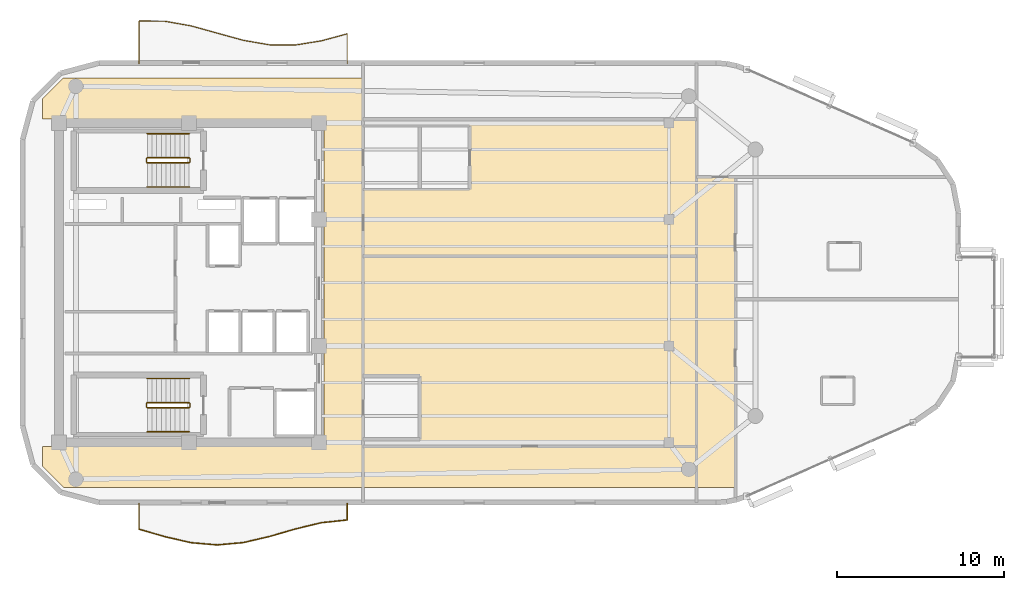
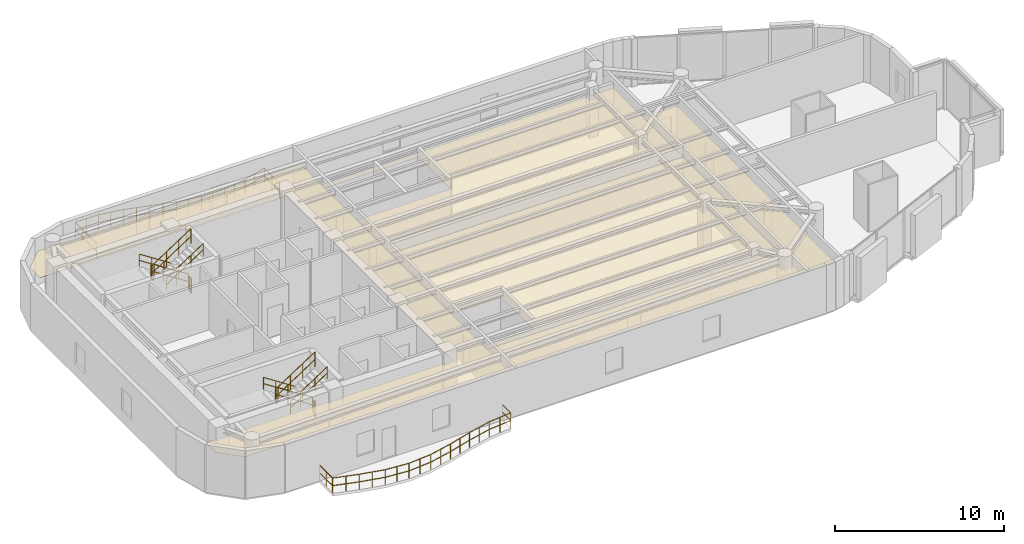
# One storey, part 12 of 13: 14 railings, 3 coverings.
"""IFC4 building model written with IfcOpenShell, lengths in metres."""

from ifc_helpers import new_model, si_unit, direction, frame, origin, origin_2d, place, context, subcontext, project, spatial, polyline, circle, outline, extrude, material, layer, layer_set, type_object, element, save


model = new_model("IFC4")

# Units and contexts
model_context = context("Model", 3, precision=1e-05, world=origin(), true_north=direction((0.0, 1.0)))
body_context = subcontext(model_context, "Body", "Model", "MODEL_VIEW")
ifc_project = project(units=[si_unit("LENGTHUNIT", "METRE"), si_unit("AREAUNIT", "SQUARE_METRE"), si_unit("VOLUMEUNIT", "CUBIC_METRE"), si_unit("PLANEANGLEUNIT", "RADIAN"), si_unit("MASSUNIT", "GRAM", prefix="KILO")], contexts=[model_context])

# Site, building, storey
site_placement = place(None, origin())
site = spatial("IfcSite", under=ifc_project, at=site_placement, CompositionType="ELEMENT")
building_placement = place(site_placement, origin())
building = spatial("IfcBuilding", under=site, at=building_placement, Name="An Khanh Terracotta Commons", CompositionType="ELEMENT")
storey_placement = place(building_placement, frame((0.0, 0.0, 266.10009765625)))
storey = spatial("IfcBuildingStorey", under=building, at=storey_placement, Name="L69", CompositionType="ELEMENT", Elevation=266.10009765625)

# Coverings
ifc_material_1 = material(Name="Perforated Mineral-Fibre Acoustic Tile")
ifc_layer = layer(ifc_material_1, 0.02001953125, Name="Perforated Mineral-Fibre Acoustic Tile")
ifc_layer_set = layer_set([ifc_layer], Name="Perforated Mineral-Fibre Acoustic Tile")
covering_type = type_object("IfcCoveringType", Name="CEIL-ACOUSTIC-18", PredefinedType="CEILING", material=ifc_layer_set)
covering_1_placement = place(storey_placement, frame((0.0, 0.0, 2.64990234375)))
element("IfcCovering", 1, at=covering_1_placement, inside=storey, type_object=covering_type, Name="L69 Corridor Ceiling", PredefinedType="CEILING", context=body_context, shape_type="SweptSolid", body=[
    extrude(outline(polyline([(59.85009765625, 30.35009765625), (62.199951171875, 30.35009765625), (62.199951171875, 14.179931640625), (62.199951171875, 11.719970703125), (59.85009765625, 11.719970703125), (39.85009765625, 11.719970703125), (37.5, 11.719970703125), (21.84912109375, 11.719970703125), (20.60009765625, 12.968994140625), (20.60009765625, 14.179931640625), (37.5, 14.179931640625), (37.5, 33.820068359375), (20.60009765625, 33.820068359375), (20.60009765625, 35.031005859375), (21.84912109375, 36.280029296875), (37.5, 36.280029296875), (39.85009765625, 36.280029296875), (39.85009765625, 33.820068359375), (39.85009765625, 14.179931640625), (59.85009765625, 14.179931640625), (59.85009765625, 30.35009765625)])), origin(), (0.0, 0.0, 1.0), 0.02001953125),
])
covering_2_placement = place(storey_placement, frame((0.0, 0.0, 2.64990234375)))
element("IfcCovering", 2, at=covering_2_placement, inside=storey, type_object=covering_type, Name="L69 Riverfront Reading Hall Ceiling", PredefinedType="CEILING", context=body_context, shape_type="SweptSolid", body=[
    extrude(outline(polyline([(59.85009765625, 14.179931640625), (39.85009765625, 14.179931640625), (39.85009765625, 14.60009765625), (43.25, 14.60009765625), (43.25, 18.39990234375), (39.85009765625, 18.39990234375), (39.85009765625, 25.60009765625), (59.85009765625, 25.60009765625), (59.85009765625, 14.179931640625)])), origin(), (0.0, 0.0, 1.0), 0.02001953125),
])
covering_3_placement = place(storey_placement, frame((0.0, 0.0, 2.64990234375)))
element("IfcCovering", 3, at=covering_3_placement, inside=storey, type_object=covering_type, Name="L69 Academic Seminar Room Ceiling", PredefinedType="CEILING", context=body_context, shape_type="SweptSolid", body=[
    extrude(outline(polyline([(59.85009765625, 25.60009765625), (39.85009765625, 25.60009765625), (39.85009765625, 29.60009765625), (43.25, 29.60009765625), (46.25, 29.60009765625), (46.25, 33.39990234375), (43.25, 33.39990234375), (39.85009765625, 33.39990234375), (39.85009765625, 33.820068359375), (59.85009765625, 33.820068359375), (59.85009765625, 30.35009765625), (59.85009765625, 25.60009765625)])), origin(), (0.0, 0.0, 1.0), 0.02001953125),
])

# Railings
ifc_material_2 = material(Name="Brushed Stainless Steel 316", Category="steel")
railing_type_1 = type_object("IfcRailingType", Name="RAIL-BALUSTRADE-1100", PredefinedType="BALUSTRADE", material=ifc_material_2)
railing_1_placement = place(storey_placement, frame((26.39990234375, 10.739990234375, 0.0)))
element("IfcRailing", 4, at=railing_1_placement, inside=storey, type_object=railing_type_1, Name="L69 S Wave Balcony Guard Balustrade", PredefinedType="BALUSTRADE", context=body_context, shape_type="SweptSolid", body=[
    extrude(circle(Radius=0.02392578125, at=origin_2d()), frame((0.0, 0.0, 1.076171875), z_axis=(0.0, -1.0, 0.0), x_axis=(1.0, 0.0, 0.0)), (0.0, 0.0, 1.0), 1.535888671875),
    extrude(circle(Radius=0.02392578125, at=origin_2d()), frame((0.0, 0.0, 0.52587890625), z_axis=(0.0, -1.0, 0.0), x_axis=(1.0, 0.0, 0.0)), (0.0, 0.0, 1.0), 1.535888671875),
    extrude(circle(Radius=0.02392578125, at=origin_2d()), frame((0.0, -1.535888671875, 1.076171875), z_axis=(0.960566374917, -0.278050785612, 0.0), x_axis=(0.278050785612, 0.960566374917, 0.0)), (0.0, 0.0, 1.0), 1.626220703125),
    extrude(circle(Radius=0.02392578125, at=origin_2d()), frame((0.0, -1.535888671875, 0.52587890625), z_axis=(0.960566374917, -0.278050785612, 0.0), x_axis=(0.278050785612, 0.960566374917, 0.0)), (0.0, 0.0, 1.0), 1.626220703125),
    extrude(circle(Radius=0.02392578125, at=origin_2d()), frame((1.56201171875, -1.988037109375, 1.076171875), z_axis=(0.974636931068, -0.223791985109, 0.0), x_axis=(0.223791985109, 0.974636931068, 0.0)), (0.0, 0.0, 1.0), 1.603759765625),
    extrude(circle(Radius=0.02392578125, at=origin_2d()), frame((1.56201171875, -1.988037109375, 0.52587890625), z_axis=(0.974636931068, -0.223791985109, 0.0), x_axis=(0.223791985109, 0.974636931068, 0.0)), (0.0, 0.0, 1.0), 1.603759765625),
    extrude(circle(Radius=0.02392578125, at=origin_2d()), frame((3.125, -2.346923828125, 1.076171875), z_axis=(0.99639156496, -0.084875492795, 0.0), x_axis=(0.084875492795, 0.99639156496, 0.0)), (0.0, 0.0, 1.0), 1.567626953125),
    extrude(circle(Radius=0.02392578125, at=origin_2d()), frame((3.125, -2.346923828125, 0.52587890625), z_axis=(0.99639156496, -0.084875492795, 0.0), x_axis=(0.084875492795, 0.99639156496, 0.0)), (0.0, 0.0, 1.0), 1.567626953125),
    extrude(circle(Radius=0.02392578125, at=origin_2d()), frame((4.68701171875, -2.47998046875, 1.076171875), z_axis=(0.996018486948, 0.089146921747, 0.0), x_axis=(-0.089146921747, 0.996018486948, 0.0)), (0.0, 0.0, 1.0), 1.5693359375),
    extrude(circle(Radius=0.02392578125, at=origin_2d()), frame((4.68701171875, -2.47998046875, 0.52587890625), z_axis=(0.996018486948, 0.089146921747, 0.0), x_axis=(-0.089146921747, 0.996018486948, 0.0)), (0.0, 0.0, 1.0), 1.5693359375),
    extrude(circle(Radius=0.02392578125, at=origin_2d()), frame((6.25, -2.340087890625, 1.076171875), z_axis=(0.974038482071, 0.226382498099, 0.0), x_axis=(-0.226382498099, 0.974038482071, 0.0)), (0.0, 0.0, 1.0), 1.603759765625),
    extrude(circle(Radius=0.02392578125, at=origin_2d()), frame((6.25, -2.340087890625, 0.52587890625), z_axis=(0.974038482071, 0.226382498099, 0.0), x_axis=(-0.226382498099, 0.974038482071, 0.0)), (0.0, 0.0, 1.0), 1.603759765625),
    extrude(circle(Radius=0.02392578125, at=origin_2d()), frame((7.81201171875, -1.97705078125, 1.076171875), z_axis=(0.960452411879, 0.278444185637, 0.0), x_axis=(-0.278444185637, 0.960452411879, 0.0)), (0.0, 0.0, 1.0), 1.62744140625),
    extrude(circle(Radius=0.02392578125, at=origin_2d()), frame((7.81201171875, -1.97705078125, 0.52587890625), z_axis=(0.960452411879, 0.278444185637, 0.0), x_axis=(-0.278444185637, 0.960452411879, 0.0)), (0.0, 0.0, 1.0), 1.62744140625),
    extrude(circle(Radius=0.02392578125, at=origin_2d()), frame((9.375, -1.52392578125, 1.076171875), z_axis=(0.971955413809, 0.235165204841, 0.0), x_axis=(-0.235165204841, 0.971955413809, 0.0)), (0.0, 0.0, 1.0), 1.607177734375),
    extrude(circle(Radius=0.02392578125, at=origin_2d()), frame((9.375, -1.52392578125, 0.52587890625), z_axis=(0.971955413809, 0.235165204841, 0.0), x_axis=(-0.235165204841, 0.971955413809, 0.0)), (0.0, 0.0, 1.0), 1.607177734375),
    extrude(circle(Radius=0.02392578125, at=origin_2d()), frame((10.93701171875, -1.14599609375, 1.076171875), z_axis=(0.994536054245, 0.104393662676, 0.0), x_axis=(-0.104393662676, 0.994536054245, 0.0)), (0.0, 0.0, 1.0), 1.571533203125),
    extrude(circle(Radius=0.02392578125, at=origin_2d()), frame((10.93701171875, -1.14599609375, 0.52587890625), z_axis=(0.994536054245, 0.104393662676, 0.0), x_axis=(-0.104393662676, 0.994536054245, 0.0)), (0.0, 0.0, 1.0), 1.571533203125),
    extrude(circle(Radius=0.02392578125, at=origin_2d()), frame((12.5, -0.98193359375, 1.076171875), z_axis=(0.0, 1.0, 0.0), x_axis=(-1.0, 0.0, 0.0)), (0.0, 0.0, 1.0), 0.98193359375),
    extrude(circle(Radius=0.02392578125, at=origin_2d()), frame((12.5, -0.98193359375, 0.52587890625), z_axis=(0.0, 1.0, 0.0), x_axis=(-1.0, 0.0, 0.0)), (0.0, 0.0, 1.0), 0.98193359375),
    extrude(circle(Radius=0.02099609375, at=origin_2d()), origin(), (0.0, 0.0, 1.0), 1.052001953125),
    extrude(circle(Radius=0.02099609375, at=origin_2d()), frame((0.0, -0.76806640625, 0.0)), (0.0, 0.0, 1.0), 1.052001953125),
    extrude(circle(Radius=0.02099609375, at=origin_2d()), frame((0.0, -1.535888671875, 0.0)), (0.0, 0.0, 1.0), 1.052001953125),
    extrude(circle(Radius=0.02099609375, at=origin_2d()), frame((0.781005859375, -1.761962890625, 0.0)), (0.0, 0.0, 1.0), 1.052001953125),
    extrude(circle(Radius=0.02099609375, at=origin_2d()), frame((1.56201171875, -1.988037109375, 0.0)), (0.0, 0.0, 1.0), 1.052001953125),
    extrude(circle(Radius=0.02099609375, at=origin_2d()), frame((2.343505859375, -2.16748046875, 0.0)), (0.0, 0.0, 1.0), 1.052001953125),
    extrude(circle(Radius=0.02099609375, at=origin_2d()), frame((3.125, -2.346923828125, 0.0)), (0.0, 0.0, 1.0), 1.052001953125),
    extrude(circle(Radius=0.02099609375, at=origin_2d()), frame((3.906005859375, -2.41357421875, 0.0)), (0.0, 0.0, 1.0), 1.052001953125),
    extrude(circle(Radius=0.02099609375, at=origin_2d()), frame((4.68701171875, -2.47998046875, 0.0)), (0.0, 0.0, 1.0), 1.052001953125),
    extrude(circle(Radius=0.02099609375, at=origin_2d()), frame((5.468505859375, -2.41015625, 0.0)), (0.0, 0.0, 1.0), 1.052001953125),
    extrude(circle(Radius=0.02099609375, at=origin_2d()), frame((6.25, -2.340087890625, 0.0)), (0.0, 0.0, 1.0), 1.052001953125),
    extrude(circle(Radius=0.02099609375, at=origin_2d()), frame((7.031005859375, -2.15869140625, 0.0)), (0.0, 0.0, 1.0), 1.052001953125),
    extrude(circle(Radius=0.02099609375, at=origin_2d()), frame((7.81201171875, -1.97705078125, 0.0)), (0.0, 0.0, 1.0), 1.052001953125),
    extrude(circle(Radius=0.02099609375, at=origin_2d()), frame((8.593505859375, -1.75048828125, 0.0)), (0.0, 0.0, 1.0), 1.052001953125),
    extrude(circle(Radius=0.02099609375, at=origin_2d()), frame((9.375, -1.52392578125, 0.0)), (0.0, 0.0, 1.0), 1.052001953125),
    extrude(circle(Radius=0.02099609375, at=origin_2d()), frame((10.156005859375, -1.3349609375, 0.0)), (0.0, 0.0, 1.0), 1.052001953125),
    extrude(circle(Radius=0.02099609375, at=origin_2d()), frame((10.93701171875, -1.14599609375, 0.0)), (0.0, 0.0, 1.0), 1.052001953125),
    extrude(circle(Radius=0.02099609375, at=origin_2d()), frame((11.718505859375, -1.06396484375, 0.0)), (0.0, 0.0, 1.0), 1.052001953125),
    extrude(circle(Radius=0.02099609375, at=origin_2d()), frame((12.5, -0.98193359375, 0.0)), (0.0, 0.0, 1.0), 1.052001953125),
    extrude(circle(Radius=0.02099609375, at=origin_2d()), frame((12.5, 0.0, 0.0)), (0.0, 0.0, 1.0), 1.052001953125),
])
railing_2_placement = place(storey_placement, frame((38.89990234375, 37.139892578125, 0.0)))
element("IfcRailing", 5, at=railing_2_placement, inside=storey, type_object=railing_type_1, Name="L69 N Wave Balcony Guard Balustrade", PredefinedType="BALUSTRADE", context=body_context, shape_type="SweptSolid", body=[
    extrude(circle(Radius=0.02392578125, at=origin_2d()), frame((0.0, 0.0, 1.076171875), z_axis=(0.0, 1.0, 0.0), x_axis=(-1.0, 0.0, 0.0)), (0.0, 0.0, 1.0), 1.801025390625),
    extrude(circle(Radius=0.02392578125, at=origin_2d()), frame((0.0, 0.0, 0.52587890625), z_axis=(0.0, 1.0, 0.0), x_axis=(-1.0, 0.0, 0.0)), (0.0, 0.0, 1.0), 1.801025390625),
    extrude(circle(Radius=0.02392578125, at=origin_2d()), frame((0.0, 1.801025390625, 1.076171875), z_axis=(-0.965449572889, -0.260589950321, 0.0), x_axis=(0.260589950321, -0.965449572889, 0.0)), (0.0, 0.0, 1.0), 1.618896484375),
    extrude(circle(Radius=0.02392578125, at=origin_2d()), frame((0.0, 1.801025390625, 0.52587890625), z_axis=(-0.965449572889, -0.260589950321, 0.0), x_axis=(0.260589950321, -0.965449572889, 0.0)), (0.0, 0.0, 1.0), 1.618896484375),
    extrude(circle(Radius=0.02392578125, at=origin_2d()), frame((-1.56298828125, 1.379150390625, 1.076171875), z_axis=(-0.98743292605, -0.158038655248, 0.0), x_axis=(0.158038655248, -0.98743292605, 0.0)), (0.0, 0.0, 1.0), 1.581787109375),
    extrude(circle(Radius=0.02392578125, at=origin_2d()), frame((-1.56298828125, 1.379150390625, 0.52587890625), z_axis=(-0.98743292605, -0.158038655248, 0.0), x_axis=(0.158038655248, -0.98743292605, 0.0)), (0.0, 0.0, 1.0), 1.581787109375),
    extrude(circle(Radius=0.02392578125, at=origin_2d()), frame((-3.125, 1.129150390625, 1.076171875), z_axis=(-0.999965733632, 0.008278379238, 0.0), x_axis=(-0.008278379238, -0.999965733632, 0.0)), (0.0, 0.0, 1.0), 1.56298828125),
    extrude(circle(Radius=0.02392578125, at=origin_2d()), frame((-3.125, 1.129150390625, 0.52587890625), z_axis=(-0.999965733632, 0.008278379238, 0.0), x_axis=(-0.008278379238, -0.999965733632, 0.0)), (0.0, 0.0, 1.0), 1.56298828125),
    extrude(circle(Radius=0.02392578125, at=origin_2d()), frame((-4.68798828125, 1.14208984375, 1.076171875), z_axis=(-0.985281748756, 0.170938221494, 0.0), x_axis=(-0.170938221494, -0.985281748756, 0.0)), (0.0, 0.0, 1.0), 1.58544921875),
    extrude(circle(Radius=0.02392578125, at=origin_2d()), frame((-4.68798828125, 1.14208984375, 0.52587890625), z_axis=(-0.985281748756, 0.170938221494, 0.0), x_axis=(-0.170938221494, -0.985281748756, 0.0)), (0.0, 0.0, 1.0), 1.58544921875),
    extrude(circle(Radius=0.02392578125, at=origin_2d()), frame((-6.25, 1.4130859375, 1.076171875), z_axis=(-0.964033871399, 0.265779410031, 0.0), x_axis=(-0.265779410031, -0.964033871399, 0.0)), (0.0, 0.0, 1.0), 1.621337890625),
    extrude(circle(Radius=0.02392578125, at=origin_2d()), frame((-6.25, 1.4130859375, 0.52587890625), z_axis=(-0.964033871399, 0.265779410031, 0.0), x_axis=(-0.265779410031, -0.964033871399, 0.0)), (0.0, 0.0, 1.0), 1.621337890625),
    extrude(circle(Radius=0.02392578125, at=origin_2d()), frame((-7.81298828125, 1.843994140625, 1.076171875), z_axis=(-0.963642958216, 0.267193280381, 0.0), x_axis=(-0.267193280381, -0.963642958216, 0.0)), (0.0, 0.0, 1.0), 1.620849609375),
    extrude(circle(Radius=0.02392578125, at=origin_2d()), frame((-7.81298828125, 1.843994140625, 0.52587890625), z_axis=(-0.963642958216, 0.267193280381, 0.0), x_axis=(-0.267193280381, -0.963642958216, 0.0)), (0.0, 0.0, 1.0), 1.620849609375),
    extrude(circle(Radius=0.02392578125, at=origin_2d()), frame((-9.375, 2.277099609375, 1.076171875), z_axis=(-0.984645446048, 0.174566163896, 0.0), x_axis=(-0.174566163896, -0.984645446048, 0.0)), (0.0, 0.0, 1.0), 1.58740234375),
    extrude(circle(Radius=0.02392578125, at=origin_2d()), frame((-9.375, 2.277099609375, 0.52587890625), z_axis=(-0.984645446048, 0.174566163896, 0.0), x_axis=(-0.174566163896, -0.984645446048, 0.0)), (0.0, 0.0, 1.0), 1.58740234375),
    extrude(circle(Radius=0.02392578125, at=origin_2d()), frame((-10.93798828125, 2.55419921875, 1.076171875), z_axis=(-0.999917878715, 0.01281545265, 0.0), x_axis=(-0.01281545265, -0.999917878715, 0.0)), (0.0, 0.0, 1.0), 1.562255859375),
    extrude(circle(Radius=0.02392578125, at=origin_2d()), frame((-10.93798828125, 2.55419921875, 0.52587890625), z_axis=(-0.999917878715, 0.01281545265, 0.0), x_axis=(-0.01281545265, -0.999917878715, 0.0)), (0.0, 0.0, 1.0), 1.562255859375),
    extrude(circle(Radius=0.02392578125, at=origin_2d()), frame((-12.5, 2.57421875, 1.076171875), z_axis=(0.0, -1.0, 0.0), x_axis=(1.0, 0.0, 0.0)), (0.0, 0.0, 1.0), 2.57421875),
    extrude(circle(Radius=0.02392578125, at=origin_2d()), frame((-12.5, 2.57421875, 0.52587890625), z_axis=(0.0, -1.0, 0.0), x_axis=(1.0, 0.0, 0.0)), (0.0, 0.0, 1.0), 2.57421875),
    extrude(circle(Radius=0.02099609375, at=origin_2d()), origin(), (0.0, 0.0, 1.0), 1.052001953125),
    extrude(circle(Radius=0.02099609375, at=origin_2d()), frame((0.0, 0.900390625, 0.0)), (0.0, 0.0, 1.0), 1.052001953125),
    extrude(circle(Radius=0.02099609375, at=origin_2d()), frame((0.0, 1.801025390625, 0.0)), (0.0, 0.0, 1.0), 1.052001953125),
    extrude(circle(Radius=0.02099609375, at=origin_2d()), frame((-0.781494140625, 1.590087890625, 0.0)), (0.0, 0.0, 1.0), 1.052001953125),
    extrude(circle(Radius=0.02099609375, at=origin_2d()), frame((-1.56298828125, 1.379150390625, 0.0)), (0.0, 0.0, 1.0), 1.052001953125),
    extrude(circle(Radius=0.02099609375, at=origin_2d()), frame((-2.343994140625, 1.254150390625, 0.0)), (0.0, 0.0, 1.0), 1.052001953125),
    extrude(circle(Radius=0.02099609375, at=origin_2d()), frame((-3.125, 1.129150390625, 0.0)), (0.0, 0.0, 1.0), 1.052001953125),
    extrude(circle(Radius=0.02099609375, at=origin_2d()), frame((-3.906494140625, 1.1357421875, 0.0)), (0.0, 0.0, 1.0), 1.052001953125),
    extrude(circle(Radius=0.02099609375, at=origin_2d()), frame((-4.68798828125, 1.14208984375, 0.0)), (0.0, 0.0, 1.0), 1.052001953125),
    extrude(circle(Radius=0.02099609375, at=origin_2d()), frame((-5.468994140625, 1.277587890625, 0.0)), (0.0, 0.0, 1.0), 1.052001953125),
    extrude(circle(Radius=0.02099609375, at=origin_2d()), frame((-6.25, 1.4130859375, 0.0)), (0.0, 0.0, 1.0), 1.052001953125),
    extrude(circle(Radius=0.02099609375, at=origin_2d()), frame((-7.031494140625, 1.62841796875, 0.0)), (0.0, 0.0, 1.0), 1.052001953125),
    extrude(circle(Radius=0.02099609375, at=origin_2d()), frame((-7.81298828125, 1.843994140625, 0.0)), (0.0, 0.0, 1.0), 1.052001953125),
    extrude(circle(Radius=0.02099609375, at=origin_2d()), frame((-8.593994140625, 2.060546875, 0.0)), (0.0, 0.0, 1.0), 1.052001953125),
    extrude(circle(Radius=0.02099609375, at=origin_2d()), frame((-9.375, 2.277099609375, 0.0)), (0.0, 0.0, 1.0), 1.052001953125),
    extrude(circle(Radius=0.02099609375, at=origin_2d()), frame((-10.156494140625, 2.41552734375, 0.0)), (0.0, 0.0, 1.0), 1.052001953125),
    extrude(circle(Radius=0.02099609375, at=origin_2d()), frame((-10.93798828125, 2.55419921875, 0.0)), (0.0, 0.0, 1.0), 1.052001953125),
    extrude(circle(Radius=0.02099609375, at=origin_2d()), frame((-11.718994140625, 2.564208984375, 0.0)), (0.0, 0.0, 1.0), 1.052001953125),
    extrude(circle(Radius=0.02099609375, at=origin_2d()), frame((-12.5, 2.57421875, 0.0)), (0.0, 0.0, 1.0), 1.052001953125),
    extrude(circle(Radius=0.02099609375, at=origin_2d()), frame((-12.5, 1.716064453125, 0.0)), (0.0, 0.0, 1.0), 1.052001953125),
    extrude(circle(Radius=0.02099609375, at=origin_2d()), frame((-12.5, 0.858154296875, 0.0)), (0.0, 0.0, 1.0), 1.052001953125),
    extrude(circle(Radius=0.02099609375, at=origin_2d()), frame((-12.5, 0.0, 0.0)), (0.0, 0.0, 1.0), 1.052001953125),
])
railing_type_2 = type_object("IfcRailingType", Name="RAIL-HANDRAIL-900", PredefinedType="HANDRAIL", material=ifc_material_2)
railing_3_placement = place(storey_placement, frame((29.409912109375, 32.949951171875, 0.182373046875)))
element("IfcRailing", 6, at=railing_3_placement, inside=storey, type_object=railing_type_2, Name="L69 ST-01 stair handrail 1", PredefinedType="HANDRAIL", context=body_context, shape_type="SweptSolid", body=[
    extrude(circle(Radius=0.02392578125, at=origin_2d()), frame((0.0, 0.0, 0.8759765625), z_axis=(-0.837749427056, 0.0, 0.546054848405), x_axis=(0.0, -1.0, 0.0)), (0.0, 0.0, 1.0), 3.008056640625),
    extrude(circle(Radius=0.02392578125, at=origin_2d()), frame((0.0, 0.0, 0.42578125), z_axis=(-0.837749427056, 0.0, 0.546054848405), x_axis=(0.0, -1.0, 0.0)), (0.0, 0.0, 1.0), 3.008056640625),
    extrude(circle(Radius=0.02099609375, at=origin_2d()), origin(), (0.0, 0.0, 1.0), 0.851806640625),
    extrude(circle(Radius=0.02099609375, at=origin_2d()), frame((-0.840087890625, 0.0, 0.547607421875)), (0.0, 0.0, 1.0), 0.851806640625),
    extrude(circle(Radius=0.02099609375, at=origin_2d()), frame((-1.679931640625, 0.0, 1.094970703125)), (0.0, 0.0, 1.0), 0.851806640625),
    extrude(circle(Radius=0.02099609375, at=origin_2d()), frame((-2.52001953125, 0.0, 1.642578125)), (0.0, 0.0, 1.0), 0.851806640625),
])
railing_4_placement = place(storey_placement, frame((26.889892578125, 29.75, 2.00732421875)))
element("IfcRailing", 7, at=railing_4_placement, inside=storey, type_object=railing_type_2, Name="L69 ST-01 stair handrail 2", PredefinedType="HANDRAIL", context=body_context, shape_type="SweptSolid", body=[
    extrude(circle(Radius=0.02392578125, at=origin_2d()), frame((0.0, 0.0, 0.8759765625), z_axis=(0.837749427056, 0.0, 0.546054848405), x_axis=(0.0, 1.0, 0.0)), (0.0, 0.0, 1.0), 3.008056640625),
    extrude(circle(Radius=0.02392578125, at=origin_2d()), frame((0.0, 0.0, 0.42578125), z_axis=(0.837749427056, 0.0, 0.546054848405), x_axis=(0.0, 1.0, 0.0)), (0.0, 0.0, 1.0), 3.008056640625),
    extrude(circle(Radius=0.02099609375, at=origin_2d()), origin(), (0.0, 0.0, 1.0), 0.851806640625),
    extrude(circle(Radius=0.02099609375, at=origin_2d()), frame((0.840087890625, 0.0, 0.547607421875)), (0.0, 0.0, 1.0), 0.851806640625),
    extrude(circle(Radius=0.02099609375, at=origin_2d()), frame((1.679931640625, 0.0, 1.094970703125)), (0.0, 0.0, 1.0), 0.851806640625),
    extrude(circle(Radius=0.02099609375, at=origin_2d()), frame((2.52001953125, 0.0, 1.642578125)), (0.0, 0.0, 1.0), 0.851806640625),
])
railing_5_placement = place(storey_placement, frame((29.409912109375, 18.25, 0.182373046875)))
element("IfcRailing", 8, at=railing_5_placement, inside=storey, type_object=railing_type_2, Name="L69 ST-02 stair handrail 1", PredefinedType="HANDRAIL", context=body_context, shape_type="SweptSolid", body=[
    extrude(circle(Radius=0.02392578125, at=origin_2d()), frame((0.0, 0.0, 0.8759765625), z_axis=(-0.837749427056, 0.0, 0.546054848405), x_axis=(0.0, -1.0, 0.0)), (0.0, 0.0, 1.0), 3.008056640625),
    extrude(circle(Radius=0.02392578125, at=origin_2d()), frame((0.0, 0.0, 0.42578125), z_axis=(-0.837749427056, 0.0, 0.546054848405), x_axis=(0.0, -1.0, 0.0)), (0.0, 0.0, 1.0), 3.008056640625),
    extrude(circle(Radius=0.02099609375, at=origin_2d()), origin(), (0.0, 0.0, 1.0), 0.851806640625),
    extrude(circle(Radius=0.02099609375, at=origin_2d()), frame((-0.840087890625, 0.0, 0.547607421875)), (0.0, 0.0, 1.0), 0.851806640625),
    extrude(circle(Radius=0.02099609375, at=origin_2d()), frame((-1.679931640625, 0.0, 1.094970703125)), (0.0, 0.0, 1.0), 0.851806640625),
    extrude(circle(Radius=0.02099609375, at=origin_2d()), frame((-2.52001953125, 0.0, 1.642578125)), (0.0, 0.0, 1.0), 0.851806640625),
])
railing_6_placement = place(storey_placement, frame((26.889892578125, 15.050048828125, 2.00732421875)))
element("IfcRailing", 9, at=railing_6_placement, inside=storey, type_object=railing_type_2, Name="L69 ST-02 stair handrail 2", PredefinedType="HANDRAIL", context=body_context, shape_type="SweptSolid", body=[
    extrude(circle(Radius=0.02392578125, at=origin_2d()), frame((0.0, 0.0, 0.8759765625), z_axis=(0.837749427056, 0.0, 0.546054848405), x_axis=(0.0, 1.0, 0.0)), (0.0, 0.0, 1.0), 3.008056640625),
    extrude(circle(Radius=0.02392578125, at=origin_2d()), frame((0.0, 0.0, 0.42578125), z_axis=(0.837749427056, 0.0, 0.546054848405), x_axis=(0.0, 1.0, 0.0)), (0.0, 0.0, 1.0), 3.008056640625),
    extrude(circle(Radius=0.02099609375, at=origin_2d()), origin(), (0.0, 0.0, 1.0), 0.851806640625),
    extrude(circle(Radius=0.02099609375, at=origin_2d()), frame((0.840087890625, 0.0, 0.547607421875)), (0.0, 0.0, 1.0), 0.851806640625),
    extrude(circle(Radius=0.02099609375, at=origin_2d()), frame((1.679931640625, 0.0, 1.094970703125)), (0.0, 0.0, 1.0), 0.851806640625),
    extrude(circle(Radius=0.02099609375, at=origin_2d()), frame((2.52001953125, 0.0, 1.642578125)), (0.0, 0.0, 1.0), 0.851806640625),
])
ifc_material_3 = material(Name="Powder-Coated Steel S355J2", Category="steel")
railing_type_3 = type_object("IfcRailingType", Name="RAIL-STAIR-GUARD-1100", PredefinedType="BALUSTRADE", material=ifc_material_3)
railing_7_placement = place(storey_placement, frame((29.409912109375, 31.5, 0.182373046875)))
element("IfcRailing", 10, at=railing_7_placement, inside=storey, type_object=railing_type_3, Name="L69 ST-01 stair guard 1", PredefinedType="BALUSTRADE", context=body_context, shape_type="SweptSolid", body=[
    extrude(circle(Radius=0.02392578125, at=origin_2d()), frame((0.0, 0.0, 1.076171875), z_axis=(-0.837749427056, 0.0, 0.546054848405), x_axis=(0.0, -1.0, 0.0)), (0.0, 0.0, 1.0), 3.008056640625),
    extrude(circle(Radius=0.02392578125, at=origin_2d()), frame((0.0, 0.0, 0.52587890625), z_axis=(-0.837749427056, 0.0, 0.546054848405), x_axis=(0.0, -1.0, 0.0)), (0.0, 0.0, 1.0), 3.008056640625),
    extrude(circle(Radius=0.02099609375, at=origin_2d()), origin(), (0.0, 0.0, 1.0), 1.052001953125),
    extrude(circle(Radius=0.02099609375, at=origin_2d()), frame((-0.840087890625, 0.0, 0.547607421875)), (0.0, 0.0, 1.0), 1.052001953125),
    extrude(circle(Radius=0.02099609375, at=origin_2d()), frame((-1.679931640625, 0.0, 1.094970703125)), (0.0, 0.0, 1.0), 1.052001953125),
    extrude(circle(Radius=0.02099609375, at=origin_2d()), frame((-2.52001953125, 0.0, 1.642578125)), (0.0, 0.0, 1.0), 1.052001953125),
])
railing_8_placement = place(storey_placement, frame((26.840087890625, 31.449951171875, 1.824951171875)))
element("IfcRailing", 11, at=railing_8_placement, inside=storey, type_object=railing_type_3, Name="L69 ST-01 stair guard 2", PredefinedType="BALUSTRADE", context=body_context, shape_type="SweptSolid", body=[
    extrude(circle(Radius=0.02392578125, at=origin_2d()), frame((0.0, 0.0, 1.076171875), z_axis=(0.0, -1.0, 0.0), x_axis=(1.0, 0.0, 0.0)), (0.0, 0.0, 1.0), 0.199951171875),
    extrude(circle(Radius=0.02392578125, at=origin_2d()), frame((0.0, 0.0, 0.52587890625), z_axis=(0.0, -1.0, 0.0), x_axis=(1.0, 0.0, 0.0)), (0.0, 0.0, 1.0), 0.199951171875),
    extrude(circle(Radius=0.02099609375, at=origin_2d()), origin(), (0.0, 0.0, 1.0), 1.052001953125),
    extrude(circle(Radius=0.02099609375, at=origin_2d()), frame((0.0, -0.199951171875, 0.0)), (0.0, 0.0, 1.0), 1.052001953125),
])
railing_9_placement = place(storey_placement, frame((26.889892578125, 31.199951171875, 2.00732421875)))
element("IfcRailing", 12, at=railing_9_placement, inside=storey, type_object=railing_type_3, Name="L69 ST-01 stair guard 3", PredefinedType="BALUSTRADE", context=body_context, shape_type="SweptSolid", body=[
    extrude(circle(Radius=0.02392578125, at=origin_2d()), frame((0.0, 0.0, 1.076171875), z_axis=(0.837749427056, 0.0, 0.546054848405), x_axis=(0.0, 1.0, 0.0)), (0.0, 0.0, 1.0), 3.008056640625),
    extrude(circle(Radius=0.02392578125, at=origin_2d()), frame((0.0, 0.0, 0.52587890625), z_axis=(0.837749427056, 0.0, 0.546054848405), x_axis=(0.0, 1.0, 0.0)), (0.0, 0.0, 1.0), 3.008056640625),
    extrude(circle(Radius=0.02099609375, at=origin_2d()), origin(), (0.0, 0.0, 1.0), 1.052001953125),
    extrude(circle(Radius=0.02099609375, at=origin_2d()), frame((0.840087890625, 0.0, 0.547607421875)), (0.0, 0.0, 1.0), 1.052001953125),
    extrude(circle(Radius=0.02099609375, at=origin_2d()), frame((1.679931640625, 0.0, 1.094970703125)), (0.0, 0.0, 1.0), 1.052001953125),
    extrude(circle(Radius=0.02099609375, at=origin_2d()), frame((2.52001953125, 0.0, 1.642578125)), (0.0, 0.0, 1.0), 1.052001953125),
])
railing_10_placement = place(storey_placement, frame((29.4599609375, 31.449951171875, 0.0)))
element("IfcRailing", 13, at=railing_10_placement, inside=storey, type_object=railing_type_3, Name="L69 ST-01 stair guard 4", PredefinedType="BALUSTRADE", context=body_context, shape_type="SweptSolid", body=[
    extrude(circle(Radius=0.02392578125, at=origin_2d()), frame((0.0, 0.0, 1.076171875), z_axis=(0.0, -1.0, 0.0), x_axis=(1.0, 0.0, 0.0)), (0.0, 0.0, 1.0), 0.199951171875),
    extrude(circle(Radius=0.02392578125, at=origin_2d()), frame((0.0, 0.0, 0.52587890625), z_axis=(0.0, -1.0, 0.0), x_axis=(1.0, 0.0, 0.0)), (0.0, 0.0, 1.0), 0.199951171875),
    extrude(circle(Radius=0.02099609375, at=origin_2d()), origin(), (0.0, 0.0, 1.0), 1.052001953125),
    extrude(circle(Radius=0.02099609375, at=origin_2d()), frame((0.0, -0.199951171875, 0.0)), (0.0, 0.0, 1.0), 1.052001953125),
])
railing_11_placement = place(storey_placement, frame((29.409912109375, 16.800048828125, 0.182373046875)))
element("IfcRailing", 14, at=railing_11_placement, inside=storey, type_object=railing_type_3, Name="L69 ST-02 stair guard 1", PredefinedType="BALUSTRADE", context=body_context, shape_type="SweptSolid", body=[
    extrude(circle(Radius=0.02392578125, at=origin_2d()), frame((0.0, 0.0, 1.076171875), z_axis=(-0.837749427056, 0.0, 0.546054848405), x_axis=(0.0, -1.0, 0.0)), (0.0, 0.0, 1.0), 3.008056640625),
    extrude(circle(Radius=0.02392578125, at=origin_2d()), frame((0.0, 0.0, 0.52587890625), z_axis=(-0.837749427056, 0.0, 0.546054848405), x_axis=(0.0, -1.0, 0.0)), (0.0, 0.0, 1.0), 3.008056640625),
    extrude(circle(Radius=0.02099609375, at=origin_2d()), origin(), (0.0, 0.0, 1.0), 1.052001953125),
    extrude(circle(Radius=0.02099609375, at=origin_2d()), frame((-0.840087890625, 0.0, 0.547607421875)), (0.0, 0.0, 1.0), 1.052001953125),
    extrude(circle(Radius=0.02099609375, at=origin_2d()), frame((-1.679931640625, 0.0, 1.094970703125)), (0.0, 0.0, 1.0), 1.052001953125),
    extrude(circle(Radius=0.02099609375, at=origin_2d()), frame((-2.52001953125, 0.0, 1.642578125)), (0.0, 0.0, 1.0), 1.052001953125),
])
railing_12_placement = place(storey_placement, frame((26.840087890625, 16.75, 1.824951171875)))
element("IfcRailing", 15, at=railing_12_placement, inside=storey, type_object=railing_type_3, Name="L69 ST-02 stair guard 2", PredefinedType="BALUSTRADE", context=body_context, shape_type="SweptSolid", body=[
    extrude(circle(Radius=0.02392578125, at=origin_2d()), frame((0.0, 0.0, 1.076171875), z_axis=(0.0, -1.0, 0.0), x_axis=(1.0, 0.0, 0.0)), (0.0, 0.0, 1.0), 0.199951171875),
    extrude(circle(Radius=0.02392578125, at=origin_2d()), frame((0.0, 0.0, 0.52587890625), z_axis=(0.0, -1.0, 0.0), x_axis=(1.0, 0.0, 0.0)), (0.0, 0.0, 1.0), 0.199951171875),
    extrude(circle(Radius=0.02099609375, at=origin_2d()), origin(), (0.0, 0.0, 1.0), 1.052001953125),
    extrude(circle(Radius=0.02099609375, at=origin_2d()), frame((0.0, -0.199951171875, 0.0)), (0.0, 0.0, 1.0), 1.052001953125),
])
railing_13_placement = place(storey_placement, frame((26.889892578125, 16.5, 2.00732421875)))
element("IfcRailing", 16, at=railing_13_placement, inside=storey, type_object=railing_type_3, Name="L69 ST-02 stair guard 3", PredefinedType="BALUSTRADE", context=body_context, shape_type="SweptSolid", body=[
    extrude(circle(Radius=0.02392578125, at=origin_2d()), frame((0.0, 0.0, 1.076171875), z_axis=(0.837749427056, 0.0, 0.546054848405), x_axis=(0.0, 1.0, 0.0)), (0.0, 0.0, 1.0), 3.008056640625),
    extrude(circle(Radius=0.02392578125, at=origin_2d()), frame((0.0, 0.0, 0.52587890625), z_axis=(0.837749427056, 0.0, 0.546054848405), x_axis=(0.0, 1.0, 0.0)), (0.0, 0.0, 1.0), 3.008056640625),
    extrude(circle(Radius=0.02099609375, at=origin_2d()), origin(), (0.0, 0.0, 1.0), 1.052001953125),
    extrude(circle(Radius=0.02099609375, at=origin_2d()), frame((0.840087890625, 0.0, 0.547607421875)), (0.0, 0.0, 1.0), 1.052001953125),
    extrude(circle(Radius=0.02099609375, at=origin_2d()), frame((1.679931640625, 0.0, 1.094970703125)), (0.0, 0.0, 1.0), 1.052001953125),
    extrude(circle(Radius=0.02099609375, at=origin_2d()), frame((2.52001953125, 0.0, 1.642578125)), (0.0, 0.0, 1.0), 1.052001953125),
])
railing_14_placement = place(storey_placement, frame((29.4599609375, 16.75, 0.0)))
element("IfcRailing", 17, at=railing_14_placement, inside=storey, type_object=railing_type_3, Name="L69 ST-02 stair guard 4", PredefinedType="BALUSTRADE", context=body_context, shape_type="SweptSolid", body=[
    extrude(circle(Radius=0.02392578125, at=origin_2d()), frame((0.0, 0.0, 1.076171875), z_axis=(0.0, -1.0, 0.0), x_axis=(1.0, 0.0, 0.0)), (0.0, 0.0, 1.0), 0.199951171875),
    extrude(circle(Radius=0.02392578125, at=origin_2d()), frame((0.0, 0.0, 0.52587890625), z_axis=(0.0, -1.0, 0.0), x_axis=(1.0, 0.0, 0.0)), (0.0, 0.0, 1.0), 0.199951171875),
    extrude(circle(Radius=0.02099609375, at=origin_2d()), origin(), (0.0, 0.0, 1.0), 1.052001953125),
    extrude(circle(Radius=0.02099609375, at=origin_2d()), frame((0.0, -0.199951171875, 0.0)), (0.0, 0.0, 1.0), 1.052001953125),
])

save(model, "model.ifc")
